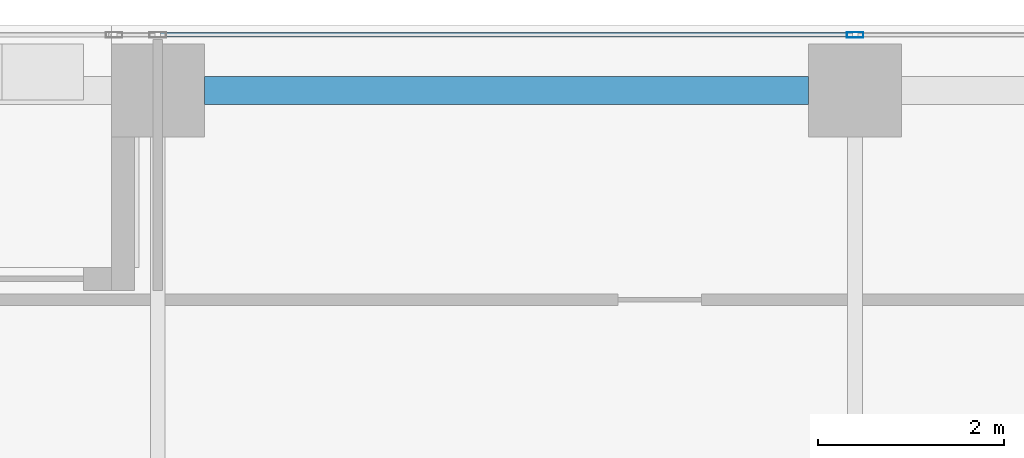
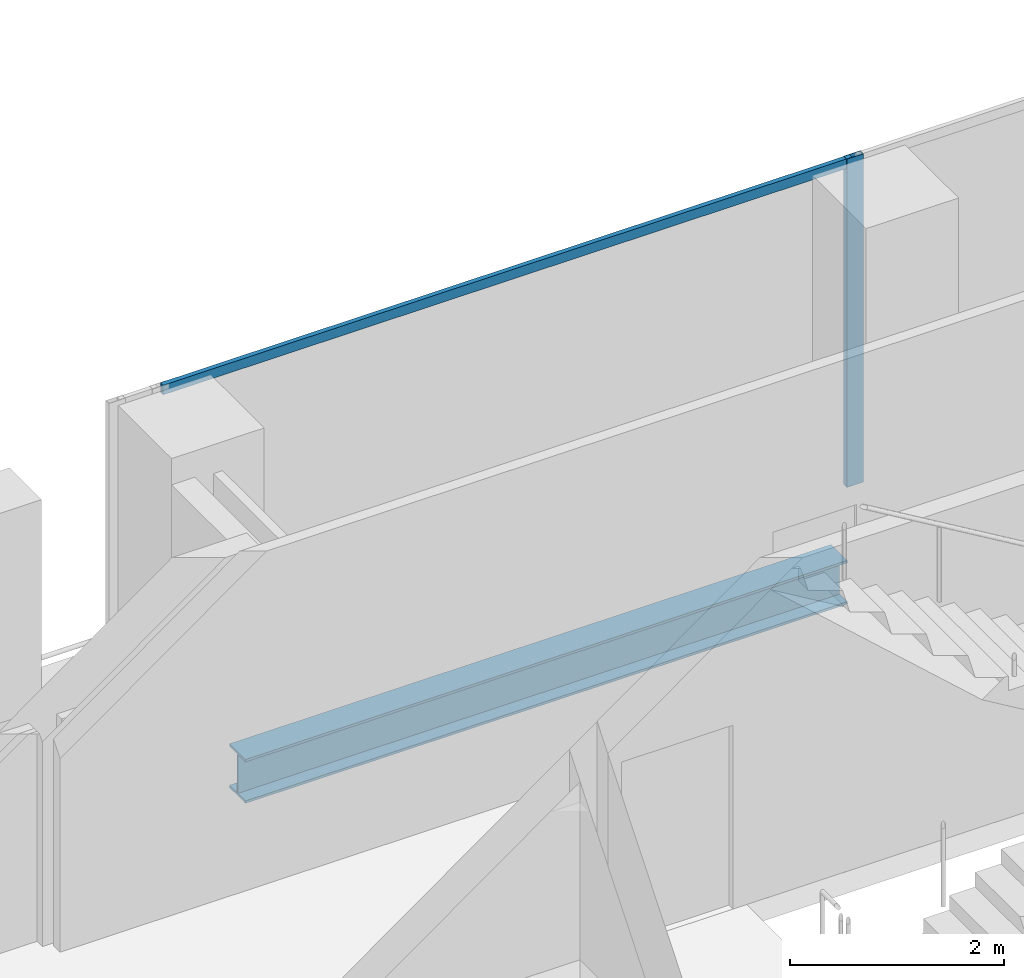
# One storey, part 20 of 38: 2 members, 1 beam, 1 element without a shape of its own.
"""IFC4 building model written with IfcOpenShell, lengths in metres."""

import ifcopenshell
import ifcopenshell.guid

model = None  # the IFC model being written
_history = None  # IfcOwnerHistory: only IFC2X3 demands one
_inside = {}  # id of a spatial element -> (the spatial element, [elements in it])
_under = {}  # id of a project, library or spatial element -> (it, [spatial elements below it])
_declared = {}  # id of a project -> (the project, [libraries it declares])
_typed = {}  # id of a type object -> (the type object, [elements of that type])
_made_of = {}  # id of a material, layer set ... -> (it, [elements and type objects made of it])


def new_model(schema):
    """Start an empty IFC model of exactly this schema.

    Asked for "IFC4X3", IfcOpenShell would pick the latest addendum, in which some entities
    have other attributes; the version numbers below select the first issue.
    IFC2X3 requires an IfcOwnerHistory on every rooted entity: one is made here for all.
    """
    global model, _history
    if schema == "IFC4X3":
        model = ifcopenshell.file(schema_version=(4, 3, 0, 0))
    else:
        model = ifcopenshell.file(schema=schema)
    _inside.clear()
    _under.clear()
    _declared.clear()
    _typed.clear()
    _made_of.clear()
    _history = None
    if model.schema == "IFC2X3":
        org = make("IfcOrganization", Name="unknown")
        user = make(
            "IfcPersonAndOrganization",
            ThePerson=make("IfcPerson", FamilyName="unknown"),
            TheOrganization=org,
        )
        app = make(
            "IfcApplication",
            ApplicationDeveloper=org,
            Version="unknown",
            ApplicationFullName="unknown",
            ApplicationIdentifier="unknown",
        )
        _history = make(
            "IfcOwnerHistory",
            OwningUser=user,
            OwningApplication=app,
            ChangeAction="ADDED",
            CreationDate=0,
        )
    return model


def make(cls, **values):
    """One entity of the class cls with the attributes given. An attribute that is None is left unset."""
    return model.create_entity(
        cls, **{name: value for name, value in values.items() if value is not None}
    )


def rooted(cls, **values):
    """An entity with a GlobalId (a new one), such as an element, a storey or a relation."""
    return make(cls, GlobalId=ifcopenshell.guid.new(), OwnerHistory=_history, **values)


def si_unit(unit_type, name, prefix=None):
    """IfcSIUnit, for example si_unit("LENGTHUNIT", "METRE", prefix="MILLI")."""
    return make("IfcSIUnit", UnitType=unit_type, Prefix=prefix, Name=name)


def assignment(units):
    """IfcUnitAssignment: the units of a project."""
    return None if units is None else make("IfcUnitAssignment", Units=units)


def point(xyz):
    """IfcCartesianPoint."""
    return None if xyz is None else make("IfcCartesianPoint", Coordinates=xyz)


def direction(xyz):
    """IfcDirection."""
    return None if xyz is None else make("IfcDirection", DirectionRatios=xyz)


def frame(location, z_axis=None, x_axis=None):
    """IfcAxis2Placement3D, a coordinate frame: its origin and axes. An axis left out is left unset."""
    return make(
        "IfcAxis2Placement3D",
        Location=point(location),
        Axis=direction(z_axis),
        RefDirection=direction(x_axis),
    )


def frame_2d(location, x_axis=None):
    """IfcAxis2Placement2D, a coordinate frame in the plane: its origin and x axis."""
    return make(
        "IfcAxis2Placement2D", Location=point(location), RefDirection=direction(x_axis)
    )


def origin():
    """The frame at (0, 0, 0) with its axes left unset."""
    return frame((0.0, 0.0, 0.0))


def origin_2d():
    """The frame at (0, 0) in the plane with its x axis left unset."""
    return frame_2d((0.0, 0.0))


def place(relative_to, where):
    """IfcLocalPlacement: puts the frame where relative to a parent placement (None: the world)."""
    return make(
        "IfcLocalPlacement", PlacementRelTo=relative_to, RelativePlacement=where
    )


def context(
    kind, dimensions, precision=None, world=None, true_north=None, identifier=None
):
    """IfcGeometricRepresentationContext, for example the 3D "Model" context."""
    return make(
        "IfcGeometricRepresentationContext",
        ContextIdentifier=identifier,
        ContextType=kind,
        CoordinateSpaceDimension=dimensions,
        Precision=precision,
        WorldCoordinateSystem=world,
        TrueNorth=true_north,
    )


def subcontext(parent, identifier, kind, view, scale=None):
    """IfcGeometricRepresentationSubContext, for example "Body" below "Model"."""
    return make(
        "IfcGeometricRepresentationSubContext",
        ContextIdentifier=identifier,
        ContextType=kind,
        ParentContext=parent,
        TargetScale=scale,
        TargetView=view,
    )


def project(units=None, contexts=None):
    """IfcProject with its units and contexts."""
    return rooted(
        "IfcProject",
        Name="project",
        RepresentationContexts=contexts,
        UnitsInContext=assignment(units),
    )


def spatial(cls, under=None, at=None, **own):
    """A site, building, storey or space (cls), placed at a placement, below another one or the project."""
    s = rooted(cls, ObjectPlacement=at, **own)
    if under is not None:
        _under.setdefault(under.id(), (under, []))[1].append(s)
    return s


def profile(cls, at=None, kind="AREA", **sizes):
    """A parametric profile (cls). Its sizes go by their IFC names, for example OverallWidth=200.0."""
    return make(cls, ProfileType=kind, Position=at, **sizes)


def hollow_rectangle(**sizes):
    """IfcRectangleHollowProfileDef."""
    return profile("IfcRectangleHollowProfileDef", **sizes)


def i_section(**sizes):
    """IfcIShapeProfileDef."""
    return profile("IfcIShapeProfileDef", **sizes)


def extrude(swept, where, along, depth):
    """IfcExtrudedAreaSolid: the profile swept, set in the frame where, extruded along a direction by depth."""
    return make(
        "IfcExtrudedAreaSolid",
        SweptArea=swept,
        Position=where,
        ExtrudedDirection=direction(along),
        Depth=depth,
    )


def shape(context_of_items, identifier, shape_type, items):
    """IfcShapeRepresentation: the items that make up one representation, for example the "Body"."""
    return make(
        "IfcShapeRepresentation",
        ContextOfItems=context_of_items,
        RepresentationIdentifier=identifier,
        RepresentationType=shape_type,
        Items=items,
    )


def source(mapping_origin, context_of_items, identifier, shape_type, items):
    """IfcRepresentationMap: a shape defined once, which mapped items show again and again."""
    return make(
        "IfcRepresentationMap",
        MappingOrigin=mapping_origin,
        MappedRepresentation=shape(context_of_items, identifier, shape_type, items),
    )


def transform(
    local_origin,
    x_axis=None,
    y_axis=None,
    z_axis=None,
    scale=None,
    scale2=None,
    scale3=None,
    uniform=True,
):
    """IfcCartesianTransformationOperator3D, or its non-uniform kind. x_axis, y_axis, z_axis: its Axis1, 2, 3."""
    if uniform:
        return make(
            "IfcCartesianTransformationOperator3D",
            Axis1=direction(x_axis),
            Axis2=direction(y_axis),
            LocalOrigin=point(local_origin),
            Scale=scale,
            Axis3=direction(z_axis),
        )
    return make(
        "IfcCartesianTransformationOperator3DnonUniform",
        Axis1=direction(x_axis),
        Axis2=direction(y_axis),
        LocalOrigin=point(local_origin),
        Scale=scale,
        Axis3=direction(z_axis),
        Scale2=scale2,
        Scale3=scale3,
    )


def mapped(mapping_source, mapping_target):
    """IfcMappedItem: shows the shape of a source again, moved by a transform."""
    return make(
        "IfcMappedItem", MappingSource=mapping_source, MappingTarget=mapping_target
    )


def material(Name=None, Category=None):
    """IfcMaterial."""
    return make("IfcMaterial", Name=Name, Category=Category)


def material_profile(
    of_material, cross_section, Name=None, Category=None, Priority=None
):
    """IfcMaterialProfile: a cross section and its material."""
    return make(
        "IfcMaterialProfile",
        Name=Name,
        Material=of_material,
        Profile=cross_section,
        Priority=Priority,
        Category=Category,
    )


def profile_set(profiles, Name=None, composite=None):
    """IfcMaterialProfileSet."""
    return make(
        "IfcMaterialProfileSet",
        Name=Name,
        MaterialProfiles=profiles,
        CompositeProfile=composite,
    )


def made_of(thing, what):
    """Note that an element or type object is made of a material, layer set ...; save() writes the relation."""
    if what is not None:
        _made_of.setdefault(what.id(), (what, []))[1].append(thing)
    return thing


def type_object(cls, material=None, **own):
    """A type object (cls), such as IfcWallType, which elements share."""
    return made_of(rooted(cls, **own), material)


def element(
    cls,
    number,
    at=None,
    inside=None,
    cuts=None,
    type_object=None,
    material=None,
    context=None,
    identifier="Body",
    shape_type=None,
    held_by="IfcProductDefinitionShape",
    body=None,
    shapes=None,
    **own,
):
    """One element of the class cls, such as IfcWall. Its Tag is "e" and its number.

    at: its placement. inside: the storey or other place that contains it. cuts: it is an
    opening in that element (IfcRelVoidsElement). A single representation is given by context,
    identifier, shape_type and body (its items); several are given by shapes. held_by: the class
    of the entity that holds the representations. save() writes the other relations.
    """
    e = rooted(cls, Tag="e%d" % number, ObjectPlacement=at, **own)
    if body is not None:
        shapes = [shape(context, identifier, shape_type, body)]
    if shapes is not None:
        e.Representation = make(held_by, Representations=shapes)
    if inside is not None:
        _inside.setdefault(inside.id(), (inside, []))[1].append(e)
    if cuts is not None:
        rooted(
            "IfcRelVoidsElement", RelatingBuildingElement=cuts, RelatedOpeningElement=e
        )
    if type_object is not None:
        _typed.setdefault(type_object.id(), (type_object, []))[1].append(e)
    return made_of(e, material)


def aggregate(whole, parts):
    """IfcRelAggregates: a whole, such as a stair, and the parts it consists of."""
    return rooted("IfcRelAggregates", RelatingObject=whole, RelatedObjects=parts)


def save(model, path):
    """Write the relations noted so far, then the file.

    IfcRelAggregates (storeys below a building ...), IfcRelContainedInSpatialStructure (elements
    in a storey), IfcRelDefinesByType, IfcRelAssociatesMaterial and IfcRelDeclares: one each for
    every whole, place, type object, material and project.
    """
    for whole, parts in _under.values():
        aggregate(whole, parts)
    for where, things in _inside.values():
        rooted(
            "IfcRelContainedInSpatialStructure",
            RelatedElements=things,
            RelatingStructure=where,
        )
    for kind, things in _typed.values():
        rooted("IfcRelDefinesByType", RelatedObjects=things, RelatingType=kind)
    for what, things in _made_of.values():
        rooted("IfcRelAssociatesMaterial", RelatedObjects=things, RelatingMaterial=what)
    for by, libraries in _declared.values():
        rooted("IfcRelDeclares", RelatingContext=by, RelatedDefinitions=libraries)
    model.write(path)


model = new_model("IFC4")

# Units and contexts
model_context = context("Model", 3, precision=1e-05, world=origin(), true_north=direction((0.0, 1.0)))
body_context = subcontext(model_context, "Body", "Model", "MODEL_VIEW")
ifc_project = project(units=[si_unit("LENGTHUNIT", "METRE"), si_unit("AREAUNIT", "SQUARE_METRE"), si_unit("VOLUMEUNIT", "CUBIC_METRE"), si_unit("PLANEANGLEUNIT", "RADIAN"), si_unit("MASSUNIT", "GRAM", prefix="KILO")], contexts=[model_context])

# Site, building, storey
site_placement = place(None, origin())
site = spatial("IfcSite", under=ifc_project, at=site_placement, CompositionType="ELEMENT")
building_placement = place(site_placement, origin())
building = spatial("IfcBuilding", under=site, at=building_placement, Name="Khomas Fold Tower", CompositionType="ELEMENT")
storey_placement = place(building_placement, frame((0.0, 0.0, 196.699951171875)))
storey = spatial("IfcBuildingStorey", under=building, at=storey_placement, Name="L43", CompositionType="ELEMENT", Elevation=196.699951171875)

# Beam
ifc_material_1 = material(Name="Steel S355", Category="steel")
ifc_material_profile_1 = material_profile(ifc_material_1, i_section(OverallWidth=0.300048828125, OverallDepth=0.5, WebThickness=0.014404296875, FlangeThickness=0.028076171875, at=origin_2d()), Name="HE 500 B")
ifc_profile_set_1 = profile_set([ifc_material_profile_1], Name="Steel S355")
beam_type = type_object("IfcBeamType", Name="HE 500 B spandrel SB3", PredefinedType="SPANDREL", material=ifc_profile_set_1)
shared_shape_1 = source(origin(), body_context, "Body", "SweptSolid", [
    extrude(i_section(OverallWidth=0.300048828125, OverallDepth=0.5, WebThickness=0.014404296875, FlangeThickness=0.028076171875, at=origin_2d()), origin(), (0.0, 0.0, 1.0), 6.5),
])
beam_placement = place(storey_placement, frame((20.0, 50.300048828125, -0.5), z_axis=(1.0, 0.0, 0.0), x_axis=(0.0, 1.0, 0.0)))
element("IfcBeam", 1, at=beam_placement, inside=storey, type_object=beam_type, Name="SB3", PredefinedType="SPANDREL", context=body_context, shape_type="MappedRepresentation", body=[
    mapped(shared_shape_1, transform((0.0, 0.0, 0.0))),
])

# Curtain wall, members
ifc_material_2 = material(Name="Aluminium framed double glazing", Category="aluminium")
curtain_wall_type = type_object("IfcCurtainWallType", Name="SK-Unitised clear-glass wall, office floors CW2", PredefinedType="NOTDEFINED", material=ifc_material_2)
curtain_wall_placement = place(storey_placement, origin())
curtain_wall = element("IfcCurtainWall", 2, at=curtain_wall_placement, inside=storey, type_object=curtain_wall_type, Name="CW2 run L43 06-0", PredefinedType="NOTDEFINED")
ifc_material_3 = material(Name="Aluminium", Category="aluminium")
ifc_material_profile_2 = material_profile(ifc_material_3, hollow_rectangle(XDim=0.06005859375, YDim=0.179931640625, WallThickness=0.00390625, at=origin_2d()), Name="SK-Unitised clear-glass wall, office floors mullion CW2-M")
ifc_profile_set_2 = profile_set([ifc_material_profile_2], Name="Aluminium")
member_type_1 = type_object("IfcMemberType", Name="SK-Unitised clear-glass wall, office floors mullion CW2-M", PredefinedType="MULLION", material=ifc_profile_set_2)
shared_shape_2 = source(origin(), body_context, "Body", "SweptSolid", [
    extrude(hollow_rectangle(XDim=0.06005859375, YDim=0.179931640625, WallThickness=0.00390625, at=origin_2d()), origin(), (0.0, 0.0, 1.0), 3.75),
])
member_1_placement = place(storey_placement, frame((27.0, 50.89990234375, 0.0), z_axis=(0.0, 0.0, 1.0), x_axis=(0.0, -1.0, 0.0)))
member_1 = element("IfcMember", 3, at=member_1_placement, type_object=member_type_1, Name="CW2 mullion 3", PredefinedType="MULLION", context=body_context, shape_type="MappedRepresentation", body=[
    mapped(shared_shape_2, transform((0.0, 0.0, 0.0))),
])
ifc_material_4 = material(Name="Aluminium", Category="aluminium")
ifc_material_profile_3 = material_profile(ifc_material_4, hollow_rectangle(XDim=0.050048828125, YDim=0.110107421875, WallThickness=0.00390625, at=origin_2d()), Name="SK-Unitised clear-glass wall, office floors transom CW2-T")
ifc_profile_set_3 = profile_set([ifc_material_profile_3], Name="Aluminium")
member_type_2 = type_object("IfcMemberType", Name="SK-Unitised clear-glass wall, office floors transom CW2-T", PredefinedType="USERDEFINED", material=ifc_profile_set_3)
shared_shape_3 = source(origin(), body_context, "Body", "SweptSolid", [
    extrude(hollow_rectangle(XDim=0.050048828125, YDim=0.110107421875, WallThickness=0.00390625, at=origin_2d()), origin(), (0.0, 0.0, 1.0), 7.43994140625),
])
member_2_placement = place(storey_placement, frame((26.969970703125, 50.89990234375, 3.695068359375), z_axis=(-1.0, 0.0, 0.0), x_axis=(0.0, -1.0, 0.0)))
member_2 = element("IfcMember", 4, at=member_2_placement, type_object=member_type_2, Name="CW2 transom 3", ObjectType="TRANSOM", PredefinedType="USERDEFINED", context=body_context, shape_type="MappedRepresentation", body=[
    mapped(shared_shape_3, transform((0.0, 0.0, 0.0))),
])
aggregate(curtain_wall, [member_1, member_2])

save(model, "model.ifc")
